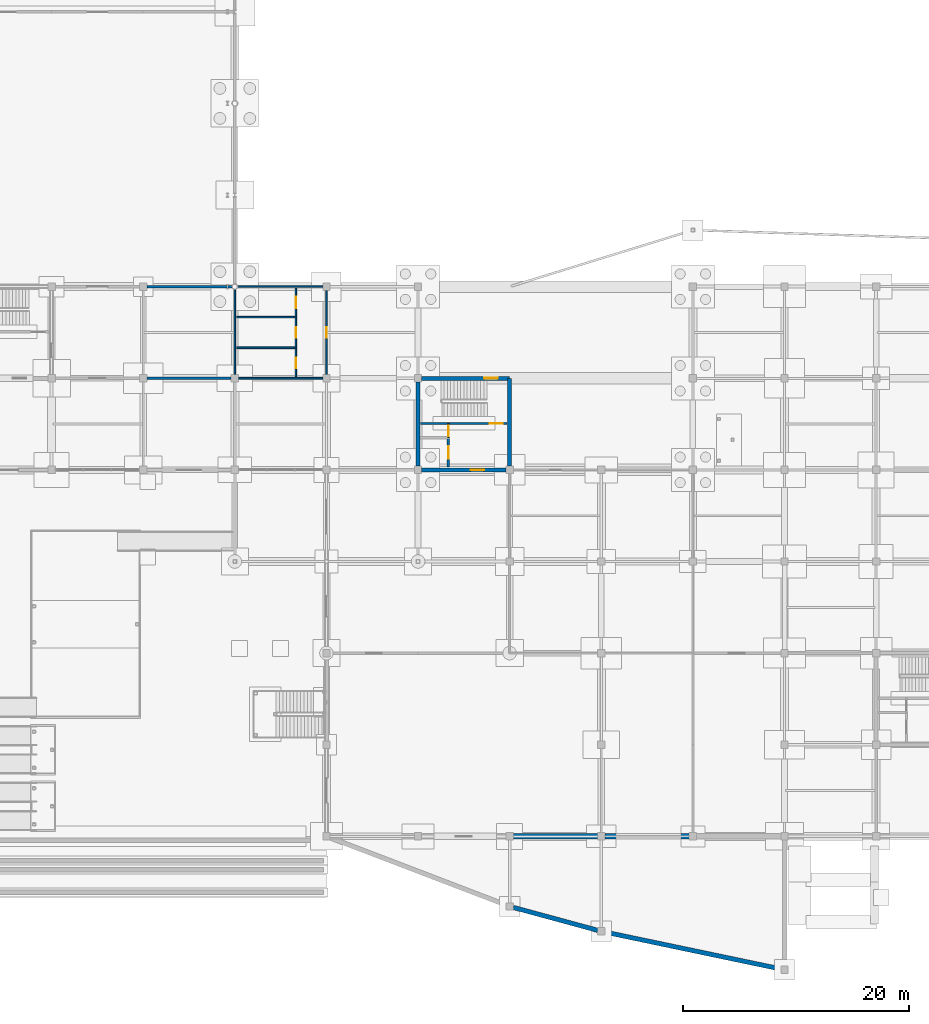
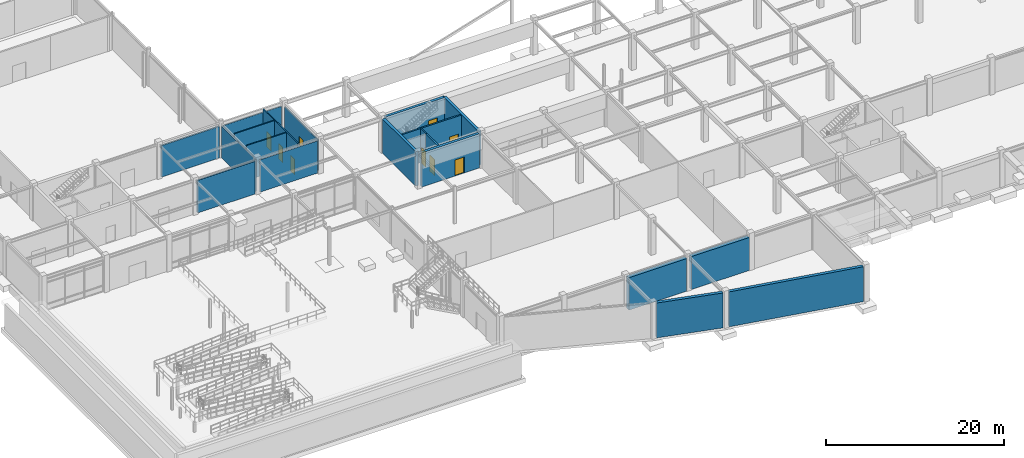
# One storey, part 46 of 67: 20 walls, 9 doors, 9 openings.
"""IFC4 building model written with IfcOpenShell, lengths in metres."""

from ifc_helpers import new_model, si_unit, direction, frame, frame_2d, origin, place, context, subcontext, project, spatial, rectangle, extrude, material, layer, layer_set, type_object, element, fill, save


model = new_model("IFC4")

# Units and contexts
model_context = context("Model", 3, precision=1e-05, world=origin(), true_north=direction((0.0, 1.0)))
body_context = subcontext(model_context, "Body", "Model", "MODEL_VIEW")
ifc_project = project(units=[si_unit("LENGTHUNIT", "METRE"), si_unit("AREAUNIT", "SQUARE_METRE"), si_unit("VOLUMEUNIT", "CUBIC_METRE"), si_unit("PLANEANGLEUNIT", "RADIAN"), si_unit("MASSUNIT", "GRAM", prefix="KILO")], contexts=[model_context])

# Site, building, storey
site_placement = place(None, origin())
site = spatial("IfcSite", under=ifc_project, at=site_placement, CompositionType="ELEMENT")
building_placement = place(site_placement, origin())
building = spatial("IfcBuilding", under=site, at=building_placement, Name="Vaudrelin Polytechnic", CompositionType="ELEMENT")
storey_placement = place(building_placement, frame((0.0, 0.0, -5.10009765625)))
storey = spatial("IfcBuildingStorey", under=building, at=storey_placement, Name="B1", CompositionType="ELEMENT", Elevation=-5.10009765625)

# Walls
ifc_material_1 = material(Name="Concrete masonry unit 20 MPa shaft & corridor fire wall", Category="masonry")
ifc_layer_1 = layer(ifc_material_1, 0.199951171875)
ifc_layer_set_1 = layer_set([ifc_layer_1], Name="Concrete masonry unit 20 MPa shaft & corridor fire wall")
wall_type_1 = type_object("IfcWallType", Name="WAL-PW-FIRE120", PredefinedType="PARTITIONING", material=ifc_layer_set_1)
wall_1_placement = place(storey_placement, frame((24.623046875, 48.60009765625, 0.0), z_axis=(0.0, 0.0, 1.0), x_axis=(1.0, 0.0, 0.0)))
element("IfcWall", 1, at=wall_1_placement, inside=storey, type_object=wall_type_1, Name="Partition B1-006 S", PredefinedType="PARTITIONING", context=body_context, shape_type="SweptSolid", body=[
    extrude(rectangle(XDim=7.52490234375, YDim=0.199951171875, at=frame_2d((3.762451171875, 0.0))), origin(), (0.0, 0.0, 1.0), 4.30712890625),
])
wall_2_placement = place(storey_placement, frame((24.623046875, 40.5, 0.0), z_axis=(0.0, 0.0, 1.0), x_axis=(1.0, 0.0, 0.0)))
element("IfcWall", 2, at=wall_2_placement, inside=storey, type_object=wall_type_1, Name="Partition B1-009 S", PredefinedType="PARTITIONING", context=body_context, shape_type="SweptSolid", body=[
    extrude(rectangle(XDim=7.453857421875, YDim=0.199951171875, at=frame_2d((3.72705078125, 0.0))), origin(), (0.0, 0.0, 1.0), 4.4560546875),
])

# Wall, opening, door
ifc_material_2 = material(Name="Fire-rated steel-stud gypsum compartment wall", Category="steel")
ifc_layer_2 = layer(ifc_material_2, 0.14990234375)
ifc_layer_set_2 = layer_set([ifc_layer_2], Name="Fire-rated steel-stud gypsum compartment wall")
wall_type_2 = type_object("IfcWallType", Name="WAL-PW-FIRE60", PredefinedType="PARTITIONING", material=ifc_layer_set_2)
wall_3_placement = place(storey_placement, frame((51.280029296875, 35.25, 0.0), z_axis=(0.0, 0.0, 1.0), x_axis=(0.0, 1.0, 0.0)))
wall_3 = element("IfcWall", 3, at=wall_3_placement, inside=storey, type_object=wall_type_2, Name="Core C4 riser enclosure wall B1", PredefinedType="PARTITIONING", context=body_context, shape_type="SweptSolid", body=[
    extrude(rectangle(XDim=1.260009765625, YDim=0.14990234375, at=frame_2d((0.6298828125, 0.0))), origin(), (0.0, 0.0, 1.0), 4.68212890625),
])
opening_1_placement = place(wall_3_placement, frame((0.139892578125, 0.0, 0.0)))
opening_1 = element("IfcOpeningElement", 4, at=opening_1_placement, cuts=wall_3, Name="Opening D-B1-061", PredefinedType="OPENING", context=body_context, shape_type="SweptSolid", body=[
    extrude(rectangle(XDim=0.89990234375, YDim=2.14990234375, at=frame_2d((0.449951171875, 1.074951171875))), frame((0.0, 0.0849609375, 0.0), z_axis=(0.0, -1.0, 0.0), x_axis=(1.0, 0.0, 0.0)), (0.0, 0.0, 1.0), 0.169921875),
])
ifc_material_3 = material(Name="Pressed galvanised steel acoustic leaf", Category="steel")
door_type_1 = type_object("IfcDoorType", Name="DOR-ID-RSR1", OperationType="NOTDEFINED", PredefinedType="DOOR", material=ifc_material_3)
door_1_placement = place(opening_1_placement, origin())
door_1 = element("IfcDoor", 5, at=door_1_placement, inside=storey, type_object=door_type_1, Name="Core C4 riser access door B1", OperationType="SINGLE_SWING_RIGHT", OverallHeight=2.14990234375, OverallWidth=0.89990234375, PredefinedType="DOOR", context=body_context, shape_type="SweptSolid", body=[
    extrude(rectangle(XDim=0.89990234375, YDim=2.14990234375, at=frame_2d((0.449951171875, 1.074951171875))), frame((0.0, 0.02490234375, 0.0), z_axis=(0.0, -1.0, 0.0), x_axis=(1.0, 0.0, 0.0)), (0.0, 0.0, 1.0), 0.050048828125),
])
fill(opening_1, door_1)

# Walls
ifc_material_4 = material(Name="Cement-board tiled wet-wall washroom partition", Category="gypsum")
ifc_layer_3 = layer(ifc_material_4, 0.139892578125)
ifc_layer_set_3 = layer_set([ifc_layer_3], Name="Cement-board tiled wet-wall washroom partition")
wall_type_3 = type_object("IfcWallType", Name="WAL-PW-WC140", PredefinedType="PARTITIONING", material=ifc_layer_set_3)
wall_4_placement = place(storey_placement, frame((32.722900390625, 40.5, 0.0), z_axis=(0.0, 0.0, 1.0), x_axis=(1.0, 0.0, 0.0)))
element("IfcWall", 6, at=wall_4_placement, inside=storey, type_object=wall_type_3, Name="Washroom enclosure wall B1-4-5-S", PredefinedType="PARTITIONING", context=body_context, shape_type="SweptSolid", body=[
    extrude(rectangle(XDim=7.4541015625, YDim=0.139892578125, at=frame_2d((3.72705078125, 0.0))), origin(), (0.0, 0.0, 1.0), 4.424072265625),
])
wall_5_placement = place(storey_placement, frame((32.652099609375, 48.60009765625, 0.0), z_axis=(0.0, 0.0, 1.0), x_axis=(1.0, 0.0, 0.0)))
element("IfcWall", 7, at=wall_5_placement, inside=storey, type_object=wall_type_3, Name="Washroom enclosure wall B1-4-5-N", PredefinedType="PARTITIONING", context=body_context, shape_type="SweptSolid", body=[
    extrude(rectangle(XDim=7.52490234375, YDim=0.139892578125, at=frame_2d((3.762451171875, 0.0))), origin(), (0.0, 0.0, 1.0), 4.231201171875),
])
wall_6_placement = place(storey_placement, frame((32.39990234375, 40.822998046875, 0.0), z_axis=(0.0, 0.0, 1.0), x_axis=(0.0, 1.0, 0.0)))
element("IfcWall", 8, at=wall_6_placement, inside=storey, type_object=wall_type_3, Name="Washroom enclosure wall B1-4-5-W", PredefinedType="PARTITIONING", context=body_context, shape_type="SweptSolid", body=[
    extrude(rectangle(XDim=7.52490234375, YDim=0.139892578125, at=frame_2d((3.762451171875, 0.0))), origin(), (0.0, 0.0, 1.0), 4.364013671875),
])

# Wall, opening, door
wall_7_placement = place(storey_placement, frame((40.5, 40.822998046875, 0.0), z_axis=(0.0, 0.0, 1.0), x_axis=(0.0, 1.0, 0.0)))
wall_7 = element("IfcWall", 9, at=wall_7_placement, inside=storey, type_object=wall_type_3, Name="Washroom enclosure wall B1-4-5-E", PredefinedType="PARTITIONING", context=body_context, shape_type="SweptSolid", body=[
    extrude(rectangle(XDim=7.4541015625, YDim=0.139892578125, at=frame_2d((3.72705078125, 0.0))), origin(), (0.0, 0.0, 1.0), 4.231201171875),
])
opening_2_placement = place(wall_7_placement, frame((3.26708984375, 0.0, 0.0)))
opening_2 = element("IfcOpeningElement", 10, at=opening_2_placement, cuts=wall_7, Name="Opening D-B1-329", PredefinedType="OPENING", context=body_context, shape_type="SweptSolid", body=[
    extrude(rectangle(XDim=0.919921875, YDim=2.14990234375, at=frame_2d((0.4599609375, 1.074951171875))), frame((0.0, 0.080078125, 0.0), z_axis=(0.0, -1.0, 0.0), x_axis=(1.0, 0.0, 0.0)), (0.0, 0.0, 1.0), 0.159912109375),
])
ifc_material_5 = material(Name="Solid-core birch veneer acoustic leaf", Category="wood")
door_type_2 = type_object("IfcDoorType", Name="DOR-ID-WC1", OperationType="NOTDEFINED", PredefinedType="DOOR", material=ifc_material_5)
door_2_placement = place(opening_2_placement, origin())
door_2 = element("IfcDoor", 11, at=door_2_placement, inside=storey, type_object=door_type_2, Name="Washroom vestibule door B1-4-5-E", OperationType="SINGLE_SWING_LEFT", OverallHeight=2.14990234375, OverallWidth=0.919921875, PredefinedType="DOOR", context=body_context, shape_type="SweptSolid", body=[
    extrude(rectangle(XDim=0.919921875, YDim=2.14990234375, at=frame_2d((0.4599609375, 1.074951171875))), frame((0.0, 0.02490234375, 0.0), z_axis=(0.0, -1.0, 0.0), x_axis=(1.0, 0.0, 0.0)), (0.0, 0.0, 1.0), 0.050048828125),
])
fill(opening_2, door_2)

# Wall, openings, doors
wall_8_placement = place(storey_placement, frame((37.800048828125, 40.64990234375, 0.0), z_axis=(0.0, 0.0, 1.0), x_axis=(0.0, 1.0, 0.0)))
wall_8 = element("IfcWall", 12, at=wall_8_placement, inside=storey, type_object=wall_type_3, Name="Washroom vestibule divider B1-4-5", PredefinedType="PARTITIONING", context=body_context, shape_type="SweptSolid", body=[
    extrude(rectangle(XDim=7.800048828125, YDim=0.139892578125, at=frame_2d((3.89990234375, 0.0))), origin(), (0.0, 0.0, 1.0), 4.781982421875),
])
opening_3_placement = place(wall_8_placement, frame((0.75, 0.0, 0.0)))
opening_3 = element("IfcOpeningElement", 13, at=opening_3_placement, cuts=wall_8, Name="Opening D-B1-330", PredefinedType="OPENING", context=body_context, shape_type="SweptSolid", body=[
    extrude(rectangle(XDim=0.919921875, YDim=2.14990234375, at=frame_2d((0.4599609375, 1.074951171875))), frame((0.0, 0.080078125, 0.0), z_axis=(0.0, -1.0, 0.0), x_axis=(1.0, 0.0, 0.0)), (0.0, 0.0, 1.0), 0.159912109375),
])
opening_4_placement = place(wall_8_placement, frame((3.43994140625, 0.0, 0.0)))
opening_4 = element("IfcOpeningElement", 14, at=opening_4_placement, cuts=wall_8, Name="Opening D-B1-331", PredefinedType="OPENING", context=body_context, shape_type="SweptSolid", body=[
    extrude(rectangle(XDim=0.919921875, YDim=2.14990234375, at=frame_2d((0.4599609375, 1.074951171875))), frame((0.0, 0.080078125, 0.0), z_axis=(0.0, -1.0, 0.0), x_axis=(1.0, 0.0, 0.0)), (0.0, 0.0, 1.0), 0.159912109375),
])
opening_5_placement = place(wall_8_placement, frame((6.050048828125, 0.0, 0.0)))
opening_5 = element("IfcOpeningElement", 15, at=opening_5_placement, cuts=wall_8, Name="Opening D-B1-332", PredefinedType="OPENING", context=body_context, shape_type="SweptSolid", body=[
    extrude(rectangle(XDim=1.0, YDim=2.14990234375, at=frame_2d((0.5, 1.074951171875))), frame((0.0, 0.080078125, 0.0), z_axis=(0.0, -1.0, 0.0), x_axis=(1.0, 0.0, 0.0)), (0.0, 0.0, 1.0), 0.159912109375),
])
door_type_3 = type_object("IfcDoorType", Name="DOR-ID-AWC1", OperationType="NOTDEFINED", PredefinedType="DOOR", material=ifc_material_5)
door_3_placement = place(opening_5_placement, origin())
door_3 = element("IfcDoor", 16, at=door_3_placement, inside=storey, type_object=door_type_3, Name="Washroom stall-room door B1-4-5-3", OperationType="SINGLE_SWING_LEFT", OverallHeight=2.14990234375, OverallWidth=1.0, PredefinedType="DOOR", context=body_context, shape_type="SweptSolid", body=[
    extrude(rectangle(XDim=1.0, YDim=2.14990234375, at=frame_2d((0.5, 1.074951171875))), frame((0.0, 0.02490234375, 0.0), z_axis=(0.0, -1.0, 0.0), x_axis=(1.0, 0.0, 0.0)), (0.0, 0.0, 1.0), 0.050048828125),
])
fill(opening_5, door_3)
door_4_placement = place(opening_3_placement, origin())
door_4 = element("IfcDoor", 17, at=door_4_placement, inside=storey, type_object=door_type_2, Name="Washroom stall-room door B1-4-5-1", OperationType="SINGLE_SWING_LEFT", OverallHeight=2.14990234375, OverallWidth=0.919921875, PredefinedType="DOOR", context=body_context, shape_type="SweptSolid", body=[
    extrude(rectangle(XDim=0.919921875, YDim=2.14990234375, at=frame_2d((0.4599609375, 1.074951171875))), frame((0.0, 0.02490234375, 0.0), z_axis=(0.0, -1.0, 0.0), x_axis=(1.0, 0.0, 0.0)), (0.0, 0.0, 1.0), 0.050048828125),
])
fill(opening_3, door_4)
door_5_placement = place(opening_4_placement, origin())
door_5 = element("IfcDoor", 18, at=door_5_placement, inside=storey, type_object=door_type_2, Name="Washroom stall-room door B1-4-5-2", OperationType="SINGLE_SWING_RIGHT", OverallHeight=2.14990234375, OverallWidth=0.919921875, PredefinedType="DOOR", context=body_context, shape_type="SweptSolid", body=[
    extrude(rectangle(XDim=0.919921875, YDim=2.14990234375, at=frame_2d((0.4599609375, 1.074951171875))), frame((0.0, 0.02490234375, 0.0), z_axis=(0.0, -1.0, 0.0), x_axis=(1.0, 0.0, 0.0)), (0.0, 0.0, 1.0), 0.050048828125),
])
fill(opening_4, door_5)

# Walls
for number, where, z_axis, x_axis, name in (
    (19, (32.550048828125, 43.199951171875, 0.0), (0.0, 0.0, 1.0), (1.0, 0.0, 0.0), "Washroom separation wall B1-4-5-1"),
    (20, (32.550048828125, 45.89990234375, 0.0), (0.0, 0.0, 1.0), (1.0, 0.0, 0.0), "Washroom separation wall B1-4-5-2"),
):
    element("IfcWall", number, at=place(storey_placement, frame(where, z_axis=z_axis, x_axis=x_axis)), inside=storey, type_object=wall_type_3, Name=name, PredefinedType="PARTITIONING", context=body_context, shape_type="SweptSolid", body=[
        extrude(rectangle(XDim=5.179931640625, YDim=0.139892578125, at=frame_2d((2.58984375, 0.0))), origin(), (0.0, 0.0, 1.0), 4.781982421875),
    ])

# Wall, opening, door
ifc_material_6 = material(Name="Concrete 40 MPa", Category="concrete")
ifc_layer_4 = layer(ifc_material_6, 0.199951171875)
ifc_layer_set_4 = layer_set([ifc_layer_4], Name="Concrete 40 MPa")
wall_type_4 = type_object("IfcWallType", Name="WAL-SW-CORE200", PredefinedType="SHEAR", material=ifc_layer_set_4)
wall_9_placement = place(storey_placement, frame((48.820068359375, 36.510009765625, 0.0), z_axis=(0.0, 0.0, 1.0), x_axis=(1.0, 0.0, 0.0)))
wall_9 = element("IfcWall", 21, at=wall_9_placement, inside=storey, type_object=wall_type_4, Name="Core C4 stair enclosure wall B1", PredefinedType="SHEAR", context=body_context, shape_type="SweptSolid", body=[
    extrude(rectangle(XDim=7.659912109375, YDim=0.199951171875, at=frame_2d((3.830078125, 0.0))), origin(), (0.0, 0.0, 1.0), 4.68212890625),
])
opening_6_placement = place(wall_9_placement, frame((6.110107421875, 0.0, 0.0)))
opening_6 = element("IfcOpeningElement", 22, at=opening_6_placement, cuts=wall_9, Name="Opening D-B1-060", PredefinedType="OPENING", context=body_context, shape_type="SweptSolid", body=[
    extrude(rectangle(XDim=1.14990234375, YDim=2.199951171875, at=frame_2d((0.574951171875, 1.10009765625))), frame((0.0, 0.10986328125, 0.0), z_axis=(0.0, -1.0, 0.0), x_axis=(1.0, 0.0, 0.0)), (0.0, 0.0, 1.0), 0.219970703125),
])
door_type_4 = type_object("IfcDoorType", Name="DOR-ID-ST1", OperationType="NOTDEFINED", PredefinedType="DOOR", material=ifc_material_3)
door_6_placement = place(opening_6_placement, origin())
door_6 = element("IfcDoor", 23, at=door_6_placement, inside=storey, type_object=door_type_4, Name="Core C4 exit stair door B1", OperationType="SINGLE_SWING_LEFT", OverallHeight=2.199951171875, OverallWidth=1.14990234375, PredefinedType="DOOR", context=body_context, shape_type="SweptSolid", body=[
    extrude(rectangle(XDim=1.14990234375, YDim=2.199951171875, at=frame_2d((0.574951171875, 1.10009765625))), frame((0.0, 0.02490234375, 0.0), z_axis=(0.0, -1.0, 0.0), x_axis=(1.0, 0.0, 0.0)), (0.0, 0.0, 1.0), 0.050048828125),
])
fill(opening_6, door_6)

wall_10_placement = place(storey_placement, frame((51.280029296875, 32.64990234375, 0.0), z_axis=(0.0, 0.0, 1.0), x_axis=(0.0, 1.0, 0.0)))
wall_10 = element("IfcWall", 24, at=wall_10_placement, inside=storey, type_object=wall_type_4, Name="Lift LF-04 shaft front wall B1", PredefinedType="SHEAR", context=body_context, shape_type="SweptSolid", body=[
    extrude(rectangle(XDim=2.60009765625, YDim=0.199951171875, at=frame_2d((1.300048828125, 0.0))), origin(), (0.0, 0.0, 1.0), 4.68212890625),
])
opening_7_placement = place(wall_10_placement, frame((0.75, 0.0, 0.0)))
opening_7 = element("IfcOpeningElement", 25, at=opening_7_placement, cuts=wall_10, Name="Opening LD-LF-04-B1", PredefinedType="OPENING", context=body_context, shape_type="SweptSolid", body=[
    extrude(rectangle(XDim=1.10009765625, YDim=2.199951171875, at=frame_2d((0.550048828125, 1.10009765625))), frame((0.0, 0.10986328125, 0.0), z_axis=(0.0, -1.0, 0.0), x_axis=(1.0, 0.0, 0.0)), (0.0, 0.0, 1.0), 0.219970703125),
])
ifc_material_7 = material(Name="Brushed stainless steel AISI 304", Category="steel")
door_type_5 = type_object("IfcDoorType", Name="DOR-LD-PAX", OperationType="SLIDING_TO_LEFT", PredefinedType="DOOR", material=ifc_material_7)
door_7_placement = place(opening_7_placement, origin())
door_7 = element("IfcDoor", 26, at=door_7_placement, inside=storey, type_object=door_type_5, Name="Lift LF-04 landing door B1", OperationType="SLIDING_TO_LEFT", OverallHeight=2.199951171875, OverallWidth=1.10009765625, PredefinedType="DOOR", context=body_context, shape_type="SweptSolid", body=[
    extrude(rectangle(XDim=1.10009765625, YDim=2.199951171875, at=frame_2d((0.550048828125, 1.10009765625))), frame((0.0, 0.02490234375, 0.0), z_axis=(0.0, -1.0, 0.0), x_axis=(1.0, 0.0, 0.0)), (0.0, 0.0, 1.0), 0.050048828125),
])
fill(opening_7, door_7)

ifc_material_8 = material(Name="Concrete 50 MPa", Category="concrete")
ifc_layer_5 = layer(ifc_material_8, 0.35009765625)
ifc_layer_set_5 = layer_set([ifc_layer_5], Name="Concrete 50 MPa")
wall_type_5 = type_object("IfcWallType", Name="WAL-SW-CORE350", PredefinedType="SHEAR", material=ifc_layer_set_5)
wall_11_placement = place(storey_placement, frame((48.923095703125, 40.5, 0.0), z_axis=(0.0, 0.0, 1.0), x_axis=(1.0, 0.0, 0.0)))
wall_11 = element("IfcWall", 27, at=wall_11_placement, inside=storey, type_object=wall_type_5, Name="Core C4 N shear wall B1", PredefinedType="SHEAR", context=body_context, shape_type="SweptSolid", body=[
    extrude(rectangle(XDim=7.77685546875, YDim=0.35009765625, at=frame_2d((3.888427734375, 0.0))), origin(), (0.0, 0.0, 1.0), 4.68212890625),
])
opening_8_placement = place(wall_11_placement, frame((5.527099609375, 0.0, 0.0)))
opening_8 = element("IfcOpeningElement", 28, at=opening_8_placement, cuts=wall_11, Name="Opening D-B1-058", PredefinedType="OPENING", context=body_context, shape_type="SweptSolid", body=[
    extrude(rectangle(XDim=1.199951171875, YDim=2.199951171875, at=frame_2d((0.60009765625, 1.10009765625))), frame((0.0, 0.18505859375, 0.0), z_axis=(0.0, -1.0, 0.0), x_axis=(1.0, 0.0, 0.0)), (0.0, 0.0, 1.0), 0.3701171875),
])
door_type_6 = type_object("IfcDoorType", Name="DOR-ID-LB1", OperationType="NOTDEFINED", PredefinedType="DOOR", material=ifc_material_3)
door_8_placement = place(opening_8_placement, origin())
door_8 = element("IfcDoor", 29, at=door_8_placement, inside=storey, type_object=door_type_6, Name="Core C4 lobby fire door B1", OperationType="SINGLE_SWING_RIGHT", OverallHeight=2.199951171875, OverallWidth=1.199951171875, PredefinedType="DOOR", context=body_context, shape_type="SweptSolid", body=[
    extrude(rectangle(XDim=1.199951171875, YDim=2.199951171875, at=frame_2d((0.60009765625, 1.10009765625))), frame((0.0, 0.02490234375, 0.0), z_axis=(0.0, -1.0, 0.0), x_axis=(1.0, 0.0, 0.0)), (0.0, 0.0, 1.0), 0.050048828125),
])
fill(opening_8, door_8)

# Walls
wall_12_placement = place(storey_placement, frame((48.60009765625, 32.722900390625, 0.0), z_axis=(0.0, 0.0, 1.0), x_axis=(0.0, 1.0, 0.0)))
element("IfcWall", 30, at=wall_12_placement, inside=storey, type_object=wall_type_5, Name="Core C4 W shear wall B1", PredefinedType="SHEAR", context=body_context, shape_type="SweptSolid", body=[
    extrude(rectangle(XDim=7.4541015625, YDim=0.35009765625, at=frame_2d((3.72705078125, 0.0))), origin(), (0.0, 0.0, 1.0), 4.68212890625),
])
wall_13_placement = place(storey_placement, frame((56.699951171875, 32.722900390625, 0.0), z_axis=(0.0, 0.0, 1.0), x_axis=(0.0, 1.0, 0.0)))
element("IfcWall", 31, at=wall_13_placement, inside=storey, type_object=wall_type_5, Name="Core C4 E shear wall B1", PredefinedType="SHEAR", context=body_context, shape_type="SweptSolid", body=[
    extrude(rectangle(XDim=7.777099609375, YDim=0.35009765625, at=frame_2d((3.888671875, 0.0))), origin(), (0.0, 0.0, 1.0), 4.68212890625),
])

# Wall, opening, door
wall_14_placement = place(storey_placement, frame((48.923095703125, 32.39990234375, 0.0), z_axis=(0.0, 0.0, 1.0), x_axis=(1.0, 0.0, 0.0)))
wall_14 = element("IfcWall", 32, at=wall_14_placement, inside=storey, type_object=wall_type_5, Name="Core C4 S shear wall B1", PredefinedType="SHEAR", context=body_context, shape_type="SweptSolid", body=[
    extrude(rectangle(XDim=7.453857421875, YDim=0.35009765625, at=frame_2d((3.72705078125, 0.0))), origin(), (0.0, 0.0, 1.0), 4.68212890625),
])
opening_9_placement = place(wall_14_placement, frame((4.326904296875, 0.0, 0.0)))
opening_9 = element("IfcOpeningElement", 33, at=opening_9_placement, cuts=wall_14, Name="Opening D-B1-059", PredefinedType="OPENING", context=body_context, shape_type="SweptSolid", body=[
    extrude(rectangle(XDim=1.199951171875, YDim=2.199951171875, at=frame_2d((0.60009765625, 1.10009765625))), frame((0.0, 0.18505859375, 0.0), z_axis=(0.0, -1.0, 0.0), x_axis=(1.0, 0.0, 0.0)), (0.0, 0.0, 1.0), 0.3701171875),
])
door_9_placement = place(opening_9_placement, origin())
door_9 = element("IfcDoor", 34, at=door_9_placement, inside=storey, type_object=door_type_6, Name="Core C4 lobby fire door B1-S", OperationType="SINGLE_SWING_LEFT", OverallHeight=2.199951171875, OverallWidth=1.199951171875, PredefinedType="DOOR", context=body_context, shape_type="SweptSolid", body=[
    extrude(rectangle(XDim=1.199951171875, YDim=2.199951171875, at=frame_2d((0.60009765625, 1.10009765625))), frame((0.0, 0.02490234375, 0.0), z_axis=(0.0, -1.0, 0.0), x_axis=(1.0, 0.0, 0.0)), (0.0, 0.0, 1.0), 0.050048828125),
])
fill(opening_9, door_9)

# Walls
ifc_layer_6 = layer(ifc_material_6, 0.39990234375)
ifc_layer_set_6 = layer_set([ifc_layer_6], Name="Concrete 40 MPa")
wall_type_6 = type_object("IfcWallType", Name="WAL-SW-RET400", PredefinedType="SOLIDWALL", material=ifc_layer_set_6)
wall_15_placement = place(storey_placement, frame((57.028076171875, -6.2890625, 0.0), z_axis=(0.0, 0.0, 1.0), x_axis=(0.965040112123, -0.262102235766, 0.0)))
element("IfcWall", 35, at=wall_15_placement, inside=storey, type_object=wall_type_6, Name="Basement lecture prow retaining wall 2", PredefinedType="SOLIDWALL", context=body_context, shape_type="SweptSolid", body=[
    extrude(rectangle(XDim=7.713623046875, YDim=0.39990234375, at=frame_2d((3.85693359375, 0.0))), origin(), (0.0, 0.0, 1.0), 4.780029296875),
])
wall_16_placement = place(storey_placement, frame((65.1328125, -8.4697265625, 0.0), z_axis=(0.0, 0.0, 1.0), x_axis=(0.978675424482, -0.205412788099, 0.0)))
element("IfcWall", 36, at=wall_16_placement, inside=storey, type_object=wall_type_6, Name="Basement lecture prow retaining wall 3", PredefinedType="SOLIDWALL", context=body_context, shape_type="SweptSolid", body=[
    extrude(rectangle(XDim=15.872802734375, YDim=0.39990234375, at=frame_2d((7.9365234375, 0.0))), origin(), (0.0, 0.0, 1.0), 4.780029296875),
])
ifc_material_9 = material(Name="Concrete 35 MPa", Category="concrete")
ifc_layer_7 = layer(ifc_material_9, 0.5)
ifc_layer_set_7 = layer_set([ifc_layer_7], Name="Concrete 35 MPa")
wall_type_7 = type_object("IfcWallType", Name="WAL-SW-RET500", PredefinedType="SOLIDWALL", material=ifc_layer_set_7)
wall_17_placement = place(storey_placement, frame((57.010009765625, 0.0, 0.0), z_axis=(0.0, 0.0, 1.0), x_axis=(1.0, 0.0, 0.0)))
element("IfcWall", 37, at=wall_17_placement, inside=storey, type_object=wall_type_7, Name="Basement retaining wall RET-S-V23-3", PredefinedType="SOLIDWALL", context=body_context, shape_type="SweptSolid", body=[
    extrude(rectangle(XDim=7.47998046875, YDim=0.5, at=frame_2d((3.739990234375, 0.0))), origin(), (0.0, 0.0, 1.0), 4.463134765625),
])
wall_18_placement = place(storey_placement, frame((65.110107421875, 0.0, 0.0), z_axis=(0.0, 0.0, 1.0), x_axis=(1.0, 0.0, 0.0)))
element("IfcWall", 38, at=wall_18_placement, inside=storey, type_object=wall_type_7, Name="Basement retaining wall RET-S-V23-4", PredefinedType="SOLIDWALL", context=body_context, shape_type="SweptSolid", body=[
    extrude(rectangle(XDim=7.47998046875, YDim=0.5, at=frame_2d((3.739990234375, 0.0))), origin(), (0.0, 0.0, 1.0), 4.51416015625),
])

save(model, "model.ifc")
